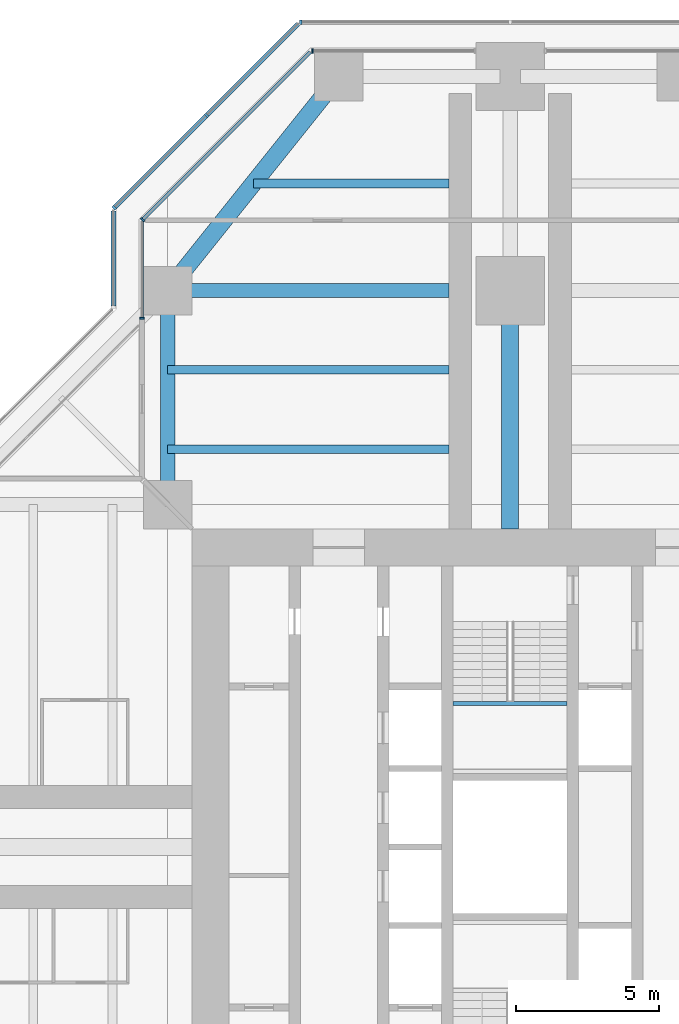
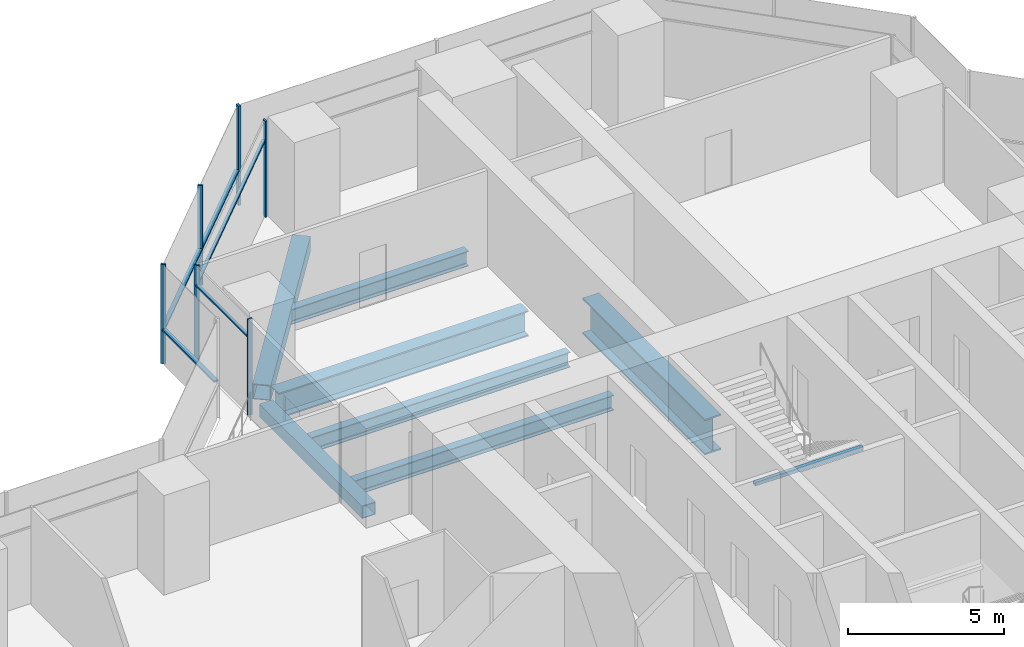
# One storey, part 8 of 20: 11 members, 8 beams, 6 elements without a shape of their own.
"""IFC4 building model written with IfcOpenShell, lengths in metres."""

from ifc_helpers import new_model, si_unit, direction, frame, origin, origin_2d, place, context, subcontext, project, spatial, rectangle, hollow_rectangle, i_section, extrude, material, material_profile, profile_set, type_object, element, aggregate, save


model = new_model("IFC4")

# Units and contexts
model_context = context("Model", 3, precision=1e-05, world=origin(), true_north=direction((0.0, 1.0)))
body_context = subcontext(model_context, "Body", "Model", "MODEL_VIEW")
ifc_project = project(units=[si_unit("LENGTHUNIT", "METRE"), si_unit("AREAUNIT", "SQUARE_METRE"), si_unit("VOLUMEUNIT", "CUBIC_METRE"), si_unit("PLANEANGLEUNIT", "RADIAN"), si_unit("MASSUNIT", "GRAM", prefix="KILO")], contexts=[model_context])

# Site, building, storey
site_placement = place(None, origin())
site = spatial("IfcSite", under=ifc_project, at=site_placement, CompositionType="ELEMENT")
building_placement = place(site_placement, origin())
building = spatial("IfcBuilding", under=site, at=building_placement, Name="Mizan Broadcast Tower", CompositionType="ELEMENT")
storey_placement = place(building_placement, frame((0.0, 0.0, 143.699951171875)))
storey = spatial("IfcBuildingStorey", under=building, at=storey_placement, Name="L32", CompositionType="ELEMENT", Elevation=143.699951171875)

# Beams
ifc_material_1 = material(Name="Steel S355", Category="steel")
ifc_material_profile_1 = material_profile(ifc_material_1, hollow_rectangle(XDim=0.5, YDim=0.5, WallThickness=0.030029296875, at=origin_2d()), Name="BOX 500x500x30")
ifc_profile_set_1 = profile_set([ifc_material_profile_1], Name="Steel S355")
beam_type_1 = type_object("IfcBeamType", Name="EDGE BEAM BOX 500x500x30", PredefinedType="SPANDREL", material=ifc_profile_set_1)
beam_1_placement = place(storey_placement, frame((-12.0, 12.449951171875, -0.3798828125), z_axis=(0.0, 1.0, 0.0), x_axis=(-1.0, 0.0, 0.0)))
element("IfcBeam", 1, at=beam_1_placement, inside=storey, type_object=beam_type_1, Name="Edge beam BOX 500x500x30 L32 north arm", PredefinedType="SPANDREL", context=body_context, shape_type="SweptSolid", body=[
    extrude(hollow_rectangle(XDim=0.5, YDim=0.5, WallThickness=0.030029296875, at=origin_2d()), origin(), (0.0, 0.0, 1.0), 6.60009765625),
])
ifc_material_2 = material(Name="Steel S355", Category="steel")
ifc_material_profile_2 = material_profile(ifc_material_2, hollow_rectangle(XDim=0.60009765625, YDim=0.60009765625, WallThickness=0.030029296875, at=origin_2d()), Name="BOX 600x600x30")
ifc_profile_set_2 = profile_set([ifc_material_profile_2], Name="Steel S355")
beam_type_2 = type_object("IfcBeamType", Name="EDGE BEAM BOX 600x600x30", PredefinedType="SPANDREL", material=ifc_profile_set_2)
beam_2_placement = place(storey_placement, frame((-11.639892578125, 19.949951171875, -0.429931640625), z_axis=(0.624673911726, 0.780885717636, 0.0), x_axis=(-0.780885717636, 0.624673911726, 0.0)))
element("IfcBeam", 2, at=beam_2_placement, inside=storey, type_object=beam_type_2, Name="Edge beam BOX 600x600x30 L32 north arm", PredefinedType="SPANDREL", context=body_context, shape_type="SweptSolid", body=[
    extrude(hollow_rectangle(XDim=0.60009765625, YDim=0.60009765625, WallThickness=0.030029296875, at=origin_2d()), origin(), (0.0, 0.0, 1.0), 8.4521484375),
])
ifc_material_3 = material(Name="Steel S460", Category="steel")
ifc_material_profile_3 = material_profile(ifc_material_3, i_section(OverallWidth=0.5, OverallDepth=1.0, WebThickness=0.02490234375, FlangeThickness=0.050048828125, at=origin_2d()), Name="WPG 1000x500")
ifc_profile_set_3 = profile_set([ifc_material_profile_3], Name="Steel S460")
beam_type_3 = type_object("IfcBeamType", Name="GIRDER WPG 1000x500", PredefinedType="BEAM", material=ifc_profile_set_3)
beam_3_placement = place(storey_placement, frame((-11.408935546875, 19.5, -0.6298828125), z_axis=(1.0, 0.0, 0.0), x_axis=(0.0, 1.0, 0.0)))
element("IfcBeam", 3, at=beam_3_placement, inside=storey, type_object=beam_type_3, Name="Girder WPG 1000x500 L32 north arm", PredefinedType="BEAM", context=body_context, shape_type="SweptSolid", body=[
    extrude(i_section(OverallWidth=0.5, OverallDepth=1.0, WebThickness=0.02490234375, FlangeThickness=0.050048828125, at=origin_2d()), origin(), (0.0, 0.0, 1.0), 9.259033203125),
])
ifc_material_4 = material(Name="Steel S460", Category="steel")
ifc_material_profile_4 = material_profile(ifc_material_4, i_section(OverallWidth=0.60009765625, OverallDepth=1.39990234375, WebThickness=0.02490234375, FlangeThickness=0.06005859375, at=origin_2d()), Name="WPG 1400x600")
ifc_profile_set_4 = profile_set([ifc_material_profile_4], Name="Steel S460")
beam_type_4 = type_object("IfcBeamType", Name="GIRDER WPG 1400x600", PredefinedType="BEAM", material=ifc_profile_set_4)
beam_4_placement = place(storey_placement, frame((0.0, 11.14990234375, -0.829833984375), z_axis=(0.0, 1.0, 0.0), x_axis=(-1.0, 0.0, 0.0)))
element("IfcBeam", 4, at=beam_4_placement, inside=storey, type_object=beam_type_4, Name="Girder WPG 1400x600 L32 north arm", PredefinedType="BEAM", context=body_context, shape_type="SweptSolid", body=[
    extrude(i_section(OverallWidth=0.60009765625, OverallDepth=1.39990234375, WebThickness=0.02490234375, FlangeThickness=0.06005859375, at=origin_2d()), origin(), (0.0, 0.0, 1.0), 7.84912109375),
])

# Curtain wall, member
ifc_material_5 = material(Name="Aluminium framed glazing", Category="aluminium")
curtain_wall_type_1 = type_object("IfcCurtainWallType", Name="INNER SKIN MID ZONE", PredefinedType="USERDEFINED", material=ifc_material_5)
curtain_wall_1_placement = place(storey_placement, origin())
curtain_wall_1 = element("IfcCurtainWall", 5, at=curtain_wall_1_placement, inside=storey, type_object=curtain_wall_type_1, Name="Inner skin mid zone L32 N end", ObjectType="INNER SKIN MID ZONE", PredefinedType="USERDEFINED")
ifc_material_6 = material(Name="Aluminium, pale anodised", Category="aluminium")
ifc_material_profile_5 = material_profile(ifc_material_6, rectangle(XDim=0.159912109375, YDim=0.06005859375, at=origin_2d()), Name="MULLION 160x60")
ifc_profile_set_5 = profile_set([ifc_material_profile_5], Name="Aluminium, pale anodised")
member_type_1 = type_object("IfcMemberType", Name="INNER SKIN MULLION 60x160", PredefinedType="MULLION", material=ifc_profile_set_5)
member_1_placement = place(storey_placement, frame((-6.928466796875, 27.89990234375, 0.0), z_axis=(0.0, 0.0, 1.0), x_axis=(0.0, -1.0, 0.0)))
member_1 = element("IfcMember", 6, at=member_1_placement, type_object=member_type_1, Name="Inner skin mid zone L32 N end mullion 2", PredefinedType="MULLION", context=body_context, shape_type="SweptSolid", body=[
    extrude(rectangle(XDim=0.159912109375, YDim=0.06005859375, at=origin_2d()), origin(), (0.0, 0.0, 1.0), 3.77001953125),
])
aggregate(curtain_wall_1, [member_1])

curtain_wall_2_placement = place(storey_placement, origin())
curtain_wall_2 = element("IfcCurtainWall", 7, at=curtain_wall_2_placement, inside=storey, type_object=curtain_wall_type_1, Name="Inner skin mid zone L32 N chamfer", ObjectType="INNER SKIN MID ZONE", PredefinedType="USERDEFINED")
member_2_placement = place(storey_placement, frame((-12.87890625, 21.979736328125, 0.0), z_axis=(0.0, 0.0, 1.0), x_axis=(0.707106781187, -0.707106781187, 0.0)))
member_2 = element("IfcMember", 8, at=member_2_placement, type_object=member_type_1, Name="Inner skin mid zone L32 N chamfer mullion 2", PredefinedType="MULLION", context=body_context, shape_type="SweptSolid", body=[
    extrude(rectangle(XDim=0.159912109375, YDim=0.06005859375, at=origin_2d()), origin(), (0.0, 0.0, 1.0), 3.77001953125),
])

curtain_wall_3_placement = place(storey_placement, origin())
curtain_wall_3 = element("IfcCurtainWall", 9, at=curtain_wall_3_placement, inside=storey, type_object=curtain_wall_type_1, Name="Inner skin mid zone L32 N side", ObjectType="INNER SKIN MID ZONE", PredefinedType="USERDEFINED")
member_3_placement = place(storey_placement, frame((-12.89990234375, 18.530029296875, 0.0), z_axis=(0.0, 0.0, 1.0), x_axis=(1.0, 0.0, 0.0)))
member_3 = element("IfcMember", 10, at=member_3_placement, type_object=member_type_1, Name="Inner skin mid zone L32 N side mullion 2", PredefinedType="MULLION", context=body_context, shape_type="SweptSolid", body=[
    extrude(rectangle(XDim=0.159912109375, YDim=0.06005859375, at=origin_2d()), origin(), (0.0, 0.0, 1.0), 3.77001953125),
])

# Member
ifc_material_7 = material(Name="Aluminium, pale anodised", Category="aluminium")
ifc_material_profile_6 = material_profile(ifc_material_7, rectangle(XDim=0.1201171875, YDim=0.06005859375, at=origin_2d()), Name="TRANSOM 120x60")
ifc_profile_set_6 = profile_set([ifc_material_profile_6], Name="Aluminium, pale anodised")
member_type_2 = type_object("IfcMemberType", Name="INNER SKIN TRANSOM 60x120", PredefinedType="USERDEFINED", material=ifc_profile_set_6)
member_4_placement = place(storey_placement, frame((-7.0009765625, 27.857666015625, 3.030029296875), z_axis=(-0.707106781187, -0.707106781187, 0.0), x_axis=(0.707106781187, -0.707106781187, 0.0)))
member_4 = element("IfcMember", 11, at=member_4_placement, type_object=member_type_2, Name="Inner skin mid zone L32 N chamfer transom 1.1", ObjectType="TRANSOM", PredefinedType="USERDEFINED", context=body_context, shape_type="SweptSolid", body=[
    extrude(rectangle(XDim=0.1201171875, YDim=0.06005859375, at=origin_2d()), origin(), (0.0, 0.0, 1.0), 8.28271484375),
])

aggregate(curtain_wall_2, [member_2, member_4])

member_5_placement = place(storey_placement, frame((-12.89990234375, 21.898681640625, 3.030029296875), z_axis=(0.0, -1.0, 0.0), x_axis=(1.0, 0.0, 0.0)))
member_5 = element("IfcMember", 12, at=member_5_placement, type_object=member_type_2, Name="Inner skin mid zone L32 N side transom 1.1", ObjectType="TRANSOM", PredefinedType="USERDEFINED", context=body_context, shape_type="SweptSolid", body=[
    extrude(rectangle(XDim=0.1201171875, YDim=0.06005859375, at=origin_2d()), origin(), (0.0, 0.0, 1.0), 3.338623046875),
])

aggregate(curtain_wall_3, [member_3, member_5])

# Beam
ifc_material_8 = material(Name="Steel S355", Category="steel")
ifc_material_profile_7 = material_profile(ifc_material_8, hollow_rectangle(XDim=0.14990234375, YDim=0.14990234375, WallThickness=0.008056640625, InnerFilletRadius=0.008056640625, OuterFilletRadius=0.011962890625, at=origin_2d()), Name="SHS 150x150x8")
ifc_profile_set_7 = profile_set([ifc_material_profile_7], Name="Steel S355")
beam_type_5 = type_object("IfcBeamType", Name="LANDING TRIMMER SHS 150x150x8", PredefinedType="BEAM", material=ifc_profile_set_7)
beam_5_placement = place(storey_placement, frame((2.0, 5.02490234375, 1.675048828125), z_axis=(-1.0, 0.0, 0.0), x_axis=(0.0, -1.0, 0.0)))
element("IfcBeam", 13, at=beam_5_placement, inside=storey, type_object=beam_type_5, Name="Stair B landing trimmer L32", PredefinedType="BEAM", context=body_context, shape_type="SweptSolid", body=[
    extrude(hollow_rectangle(XDim=0.14990234375, YDim=0.14990234375, WallThickness=0.008056640625, InnerFilletRadius=0.008056640625, OuterFilletRadius=0.011962890625, at=origin_2d()), origin(), (0.0, 0.0, 1.0), 4.0),
])

# Curtain wall, member
ifc_material_9 = material(Name="Aluminium framed glazing", Category="aluminium")
curtain_wall_type_2 = type_object("IfcCurtainWallType", Name="OUTER SKIN", PredefinedType="USERDEFINED", material=ifc_material_9)
curtain_wall_4_placement = place(storey_placement, origin())
curtain_wall_4 = element("IfcCurtainWall", 14, at=curtain_wall_4_placement, inside=storey, type_object=curtain_wall_type_2, Name="Outer skin L32 N end", ObjectType="OUTER SKIN", PredefinedType="USERDEFINED")
ifc_material_10 = material(Name="Aluminium, pale anodised", Category="aluminium")
ifc_material_profile_8 = material_profile(ifc_material_10, rectangle(XDim=0.159912109375, YDim=0.080078125, at=origin_2d()), Name="MULLION 160x80")
ifc_profile_set_8 = profile_set([ifc_material_profile_8], Name="Aluminium, pale anodised")
member_type_3 = type_object("IfcMemberType", Name="OUTER SKIN MULLION 80x160", PredefinedType="MULLION", material=ifc_profile_set_8)
member_6_placement = place(storey_placement, frame((-7.332763671875, 28.89990234375, 0.0), z_axis=(0.0, 0.0, 1.0), x_axis=(0.0, -1.0, 0.0)))
member_6 = element("IfcMember", 15, at=member_6_placement, type_object=member_type_3, Name="Outer skin L32 N end mullion 3", PredefinedType="MULLION", context=body_context, shape_type="SweptSolid", body=[
    extrude(rectangle(XDim=0.159912109375, YDim=0.080078125, at=origin_2d()), origin(), (0.0, 0.0, 1.0), 3.900146484375),
])
aggregate(curtain_wall_4, [member_6])

# Curtain wall, members
curtain_wall_5_placement = place(storey_placement, origin())
curtain_wall_5 = element("IfcCurtainWall", 16, at=curtain_wall_5_placement, inside=storey, type_object=curtain_wall_type_2, Name="Outer skin L32 N chamfer", ObjectType="OUTER SKIN", PredefinedType="USERDEFINED")
member_7_placement = place(storey_placement, frame((-10.636474609375, 25.636474609375, 0.0), z_axis=(0.0, 0.0, 1.0), x_axis=(0.707106781187, -0.707106781187, 0.0)))
member_7 = element("IfcMember", 17, at=member_7_placement, type_object=member_type_3, Name="Outer skin L32 N chamfer mullion 2", PredefinedType="MULLION", context=body_context, shape_type="SweptSolid", body=[
    extrude(rectangle(XDim=0.159912109375, YDim=0.080078125, at=origin_2d()), origin(), (0.0, 0.0, 1.0), 3.900146484375),
])
member_8_placement = place(storey_placement, frame((-13.871826171875, 22.401123046875, 0.0), z_axis=(0.0, 0.0, 1.0), x_axis=(0.707106781187, -0.707106781187, 0.0)))
member_8 = element("IfcMember", 18, at=member_8_placement, type_object=member_type_3, Name="Outer skin L32 N chamfer mullion 3", PredefinedType="MULLION", context=body_context, shape_type="SweptSolid", body=[
    extrude(rectangle(XDim=0.159912109375, YDim=0.080078125, at=origin_2d()), origin(), (0.0, 0.0, 1.0), 3.900146484375),
])
ifc_material_11 = material(Name="Aluminium, pale anodised", Category="aluminium")
ifc_material_profile_9 = material_profile(ifc_material_11, rectangle(XDim=0.159912109375, YDim=0.06005859375, at=origin_2d()), Name="TRANSOM 160x60")
ifc_profile_set_9 = profile_set([ifc_material_profile_9], Name="Aluminium, pale anodised")
member_type_4 = type_object("IfcMemberType", Name="OUTER SKIN TRANSOM 60x160", PredefinedType="USERDEFINED", material=ifc_profile_set_9)
member_9_placement = place(storey_placement, frame((-7.429443359375, 28.843505859375, 1.400146484375), z_axis=(-0.707106781187, -0.707106781187, 0.0), x_axis=(0.707106781187, -0.707106781187, 0.0)))
member_9 = element("IfcMember", 19, at=member_9_placement, type_object=member_type_4, Name="Outer skin L32 N chamfer transom 1.1", ObjectType="TRANSOM", PredefinedType="USERDEFINED", context=body_context, shape_type="SweptSolid", body=[
    extrude(rectangle(XDim=0.159912109375, YDim=0.06005859375, at=origin_2d()), origin(), (0.0, 0.0, 1.0), 4.495361328125),
])
member_10_placement = place(storey_placement, frame((-10.664794921875, 25.608154296875, 1.400146484375), z_axis=(-0.707106781187, -0.707106781187, 0.0), x_axis=(0.707106781187, -0.707106781187, 0.0)))
member_10 = element("IfcMember", 20, at=member_10_placement, type_object=member_type_4, Name="Outer skin L32 N chamfer transom 2.1", ObjectType="TRANSOM", PredefinedType="USERDEFINED", context=body_context, shape_type="SweptSolid", body=[
    extrude(rectangle(XDim=0.159912109375, YDim=0.06005859375, at=origin_2d()), origin(), (0.0, 0.0, 1.0), 4.495361328125),
])
aggregate(curtain_wall_5, [member_7, member_8, member_9, member_10])

# Curtain wall, member
curtain_wall_6_placement = place(storey_placement, origin())
curtain_wall_6 = element("IfcCurtainWall", 21, at=curtain_wall_6_placement, inside=storey, type_object=curtain_wall_type_2, Name="Outer skin L32 N side", ObjectType="OUTER SKIN", PredefinedType="USERDEFINED")
member_11_placement = place(storey_placement, frame((-13.89990234375, 22.292724609375, 1.400146484375), z_axis=(0.0, -1.0, 0.0), x_axis=(1.0, 0.0, 0.0)))
member_11 = element("IfcMember", 22, at=member_11_placement, type_object=member_type_4, Name="Outer skin L32 N side transom 1.1", ObjectType="TRANSOM", PredefinedType="USERDEFINED", context=body_context, shape_type="SweptSolid", body=[
    extrude(rectangle(XDim=0.159912109375, YDim=0.06005859375, at=origin_2d()), origin(), (0.0, 0.0, 1.0), 3.33984375),
])
aggregate(curtain_wall_6, [member_11])

# Beams
ifc_material_12 = material(Name="Steel S355", Category="steel")
ifc_material_profile_10 = material_profile(ifc_material_12, i_section(OverallWidth=0.300048828125, OverallDepth=0.590087890625, WebThickness=0.012939453125, FlangeThickness=0.02490234375, FilletRadius=0.027099609375, at=origin_2d()), Name="HEA 600")
ifc_profile_set_10 = profile_set([ifc_material_profile_10], Name="Steel S355")
beam_type_6 = type_object("IfcBeamType", Name="SECONDARY BEAM HEA 600", PredefinedType="JOIST", material=ifc_profile_set_10)
for number, where, z_axis, x_axis, name in (
    (23, (-12.0, 13.933349609375, -0.425048828125), (1.0, 0.0, 0.0), (0.0, 1.0, 0.0), "Secondary beam HEA 600 L32 north arm"),
    (24, (-12.0, 16.716552734375, -0.425048828125), (1.0, 0.0, 0.0), (0.0, 1.0, 0.0), "Secondary beam HEA 600 L32 north arm"),
):
    element("IfcBeam", number, at=place(storey_placement, frame(where, z_axis=z_axis, x_axis=x_axis)), inside=storey, type_object=beam_type_6, Name=name, PredefinedType="JOIST", context=body_context, shape_type="SweptSolid", body=[
        extrude(i_section(OverallWidth=0.300048828125, OverallDepth=0.590087890625, WebThickness=0.012939453125, FlangeThickness=0.02490234375, FilletRadius=0.027099609375, at=origin_2d()), origin(), (0.0, 0.0, 1.0), 9.85009765625),
    ])
beam_6_placement = place(storey_placement, frame((-9.0, 23.25, -0.425048828125), z_axis=(1.0, 0.0, 0.0), x_axis=(0.0, 1.0, 0.0)))
element("IfcBeam", 25, at=beam_6_placement, inside=storey, type_object=beam_type_6, Name="Secondary beam HEA 600 L32 north arm", PredefinedType="JOIST", context=body_context, shape_type="SweptSolid", body=[
    extrude(i_section(OverallWidth=0.300048828125, OverallDepth=0.590087890625, WebThickness=0.012939453125, FlangeThickness=0.02490234375, FilletRadius=0.027099609375, at=origin_2d()), origin(), (0.0, 0.0, 1.0), 6.85009765625),
])

save(model, "model.ifc")
